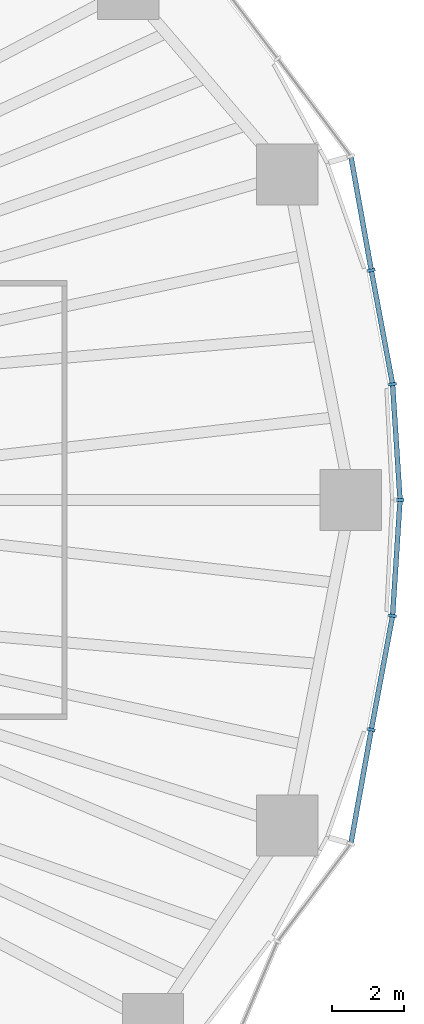
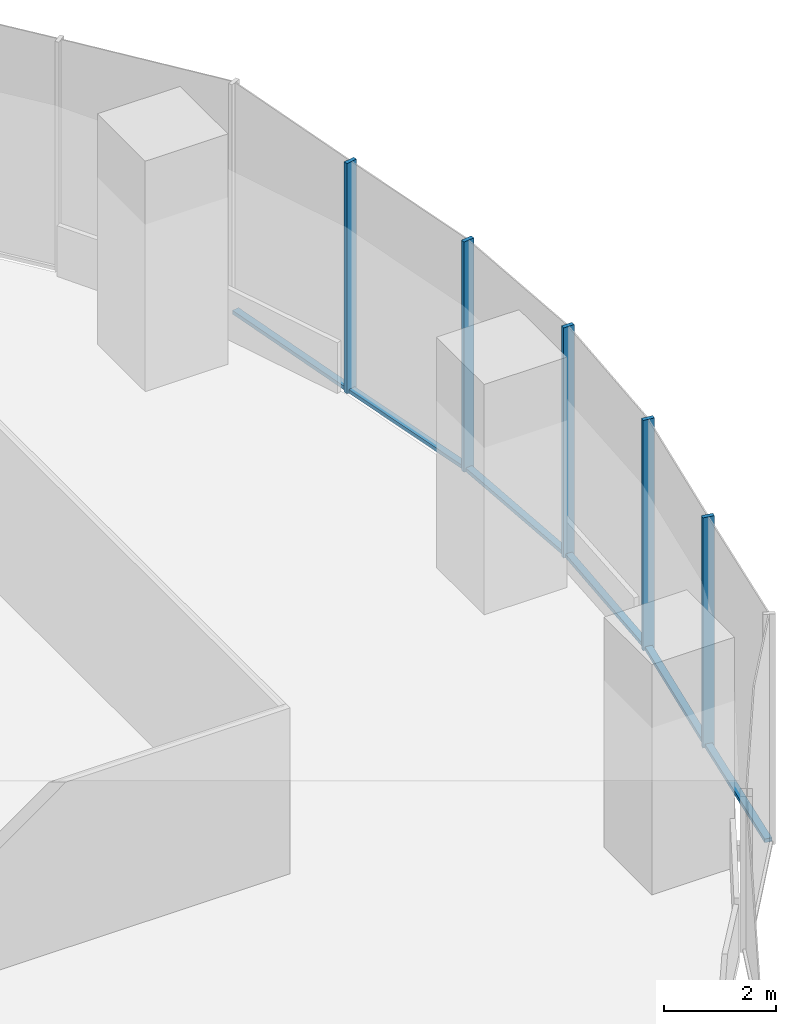
# One storey, part 7 of 20: 11 members, 2 elements without a shape of their own.
"""IFC4 building model written with IfcOpenShell, lengths in metres."""

from ifc_helpers import new_model, si_unit, direction, frame, origin, origin_2d, place, context, subcontext, project, spatial, rectangle, extrude, material, material_profile, profile_set, type_object, element, aggregate, save


model = new_model("IFC4")

# Units and contexts
model_context = context("Model", 3, precision=1e-05, world=origin(), true_north=direction((0.0, 1.0)))
body_context = subcontext(model_context, "Body", "Model", "MODEL_VIEW")
ifc_project = project(units=[si_unit("LENGTHUNIT", "METRE"), si_unit("AREAUNIT", "SQUARE_METRE"), si_unit("VOLUMEUNIT", "CUBIC_METRE"), si_unit("PLANEANGLEUNIT", "RADIAN"), si_unit("MASSUNIT", "GRAM", prefix="KILO")], contexts=[model_context])

# Site, building, storey
site_placement = place(None, origin())
site = spatial("IfcSite", under=ifc_project, at=site_placement, CompositionType="ELEMENT")
building_placement = place(site_placement, origin())
building = spatial("IfcBuilding", under=site, at=building_placement, Name="Ghaith Harvest Tower", CompositionType="ELEMENT")
storey_placement = place(building_placement, frame((0.0, 0.0, 55.0)))
storey = spatial("IfcBuildingStorey", under=building, at=storey_placement, Name="L11", CompositionType="ELEMENT", Elevation=55.0)

# Curtain wall, members
ifc_material_1 = material(Name="Black anodised aluminium and fritted glass", Category="aluminium")
curtain_wall_type = type_object("IfcCurtainWallType", Name="CW-F CURTAIN WALL", PredefinedType="NOTDEFINED", material=ifc_material_1)
curtain_wall_1_placement = place(storey_placement, origin())
curtain_wall_1 = element("IfcCurtainWall", 1, at=curtain_wall_1_placement, inside=storey, type_object=curtain_wall_type, Name="Curtain wall CW-F bay 01 L11", PredefinedType="NOTDEFINED")
ifc_material_2 = material(Name="Aluminium, black anodised", Category="aluminium")
ifc_material_profile_1 = material_profile(ifc_material_2, rectangle(XDim=0.080078125, YDim=0.219970703125, at=origin_2d()), Name="CW-F MULLION 80x220")
ifc_profile_set_1 = profile_set([ifc_material_profile_1], Name="Aluminium, black anodised")
member_type_1 = type_object("IfcMemberType", Name="CW-F MULLION 80x220", PredefinedType="MULLION", material=ifc_profile_set_1)
member_1_placement = place(storey_placement, frame((34.284912109375, 0.0, 0.0), z_axis=(0.0, 0.0, 1.0), x_axis=(1.05e-10, 1.0, 0.0)))
member_1 = element("IfcMember", 2, at=member_1_placement, type_object=member_type_1, Name="CW-F mullion 1 bay 01 L11", PredefinedType="MULLION", context=body_context, shape_type="SweptSolid", body=[
    extrude(rectangle(XDim=0.080078125, YDim=0.219970703125, at=origin_2d()), origin(), (0.0, 0.0, 1.0), 5.0),
])
member_2_placement = place(storey_placement, frame((34.077880859375, 3.205322265625, 0.0), z_axis=(0.0, 0.0, 1.0), x_axis=(-0.12416951168, 0.992261020281, 0.0)))
member_2 = element("IfcMember", 3, at=member_2_placement, type_object=member_type_1, Name="CW-F mullion 2 bay 01 L11", PredefinedType="MULLION", context=body_context, shape_type="SweptSolid", body=[
    extrude(rectangle(XDim=0.080078125, YDim=0.219970703125, at=origin_2d()), origin(), (0.0, 0.0, 1.0), 5.0),
])
member_3_placement = place(storey_placement, frame((33.489501953125, 6.3564453125, 0.0), z_axis=(0.0, 0.0, 1.0), x_axis=(-0.179943325455, 0.98367697931, 0.0)))
member_3 = element("IfcMember", 4, at=member_3_placement, type_object=member_type_1, Name="CW-F mullion 3 bay 01 L11", PredefinedType="MULLION", context=body_context, shape_type="SweptSolid", body=[
    extrude(rectangle(XDim=0.080078125, YDim=0.219970703125, at=origin_2d()), origin(), (0.0, 0.0, 1.0), 5.0),
])

curtain_wall_2_placement = place(storey_placement, origin())
curtain_wall_2 = element("IfcCurtainWall", 5, at=curtain_wall_2_placement, inside=storey, type_object=curtain_wall_type, Name="Curtain wall CW-F bay 20 L11", PredefinedType="NOTDEFINED")
member_4_placement = place(storey_placement, frame((33.489501953125, -6.3564453125, 0.0), z_axis=(0.0, 0.0, 1.0), x_axis=(0.17994332573, 0.98367697926, 0.0)))
member_4 = element("IfcMember", 6, at=member_4_placement, type_object=member_type_1, Name="CW-F mullion 2 bay 20 L11", PredefinedType="MULLION", context=body_context, shape_type="SweptSolid", body=[
    extrude(rectangle(XDim=0.080078125, YDim=0.219970703125, at=origin_2d()), origin(), (0.0, 0.0, 1.0), 5.0),
])
member_5_placement = place(storey_placement, frame((34.077880859375, -3.205322265625, 0.0), z_axis=(0.0, 0.0, 1.0), x_axis=(0.124169511819, 0.992261020264, 0.0)))
member_5 = element("IfcMember", 7, at=member_5_placement, type_object=member_type_1, Name="CW-F mullion 3 bay 20 L11", PredefinedType="MULLION", context=body_context, shape_type="SweptSolid", body=[
    extrude(rectangle(XDim=0.080078125, YDim=0.219970703125, at=origin_2d()), origin(), (0.0, 0.0, 1.0), 5.0),
])

# Member
ifc_material_3 = material(Name="Aluminium, black anodised", Category="aluminium")
ifc_material_profile_2 = material_profile(ifc_material_3, rectangle(XDim=0.139892578125, YDim=0.080078125, at=origin_2d()), Name="CW-F TRANSOM 140x80")
ifc_profile_set_2 = profile_set([ifc_material_profile_2], Name="Aluminium, black anodised")
member_type_2 = type_object("IfcMemberType", Name="CW-F TRANSOM 140x80", PredefinedType="USERDEFINED", material=ifc_profile_set_2)
member_6_placement = place(storey_placement, frame((34.282470703125, 0.039794921875, 0.0400390625), z_axis=(-0.064459898973, 0.997920298132, 0.0), x_axis=(-0.997920298132, -0.064459898973, 0.0)))
member_6 = element("IfcMember", 8, at=member_6_placement, type_object=member_type_2, Name="CW-F transom 1 bay 01 L11", ObjectType="TRANSOM", PredefinedType="USERDEFINED", context=body_context, shape_type="SweptSolid", body=[
    extrude(rectangle(XDim=0.139892578125, YDim=0.080078125, at=origin_2d()), origin(), (0.0, 0.0, 1.0), 3.13232421875),
])

member_7_placement = place(storey_placement, frame((34.070556640625, 3.24462890625, 0.0400390625), z_axis=(-0.183557496381, 0.983008975301, 0.0), x_axis=(-0.983008975301, -0.183557496381, 0.0)))
member_7 = element("IfcMember", 9, at=member_7_placement, type_object=member_type_2, Name="CW-F transom 2 bay 01 L11", ObjectType="TRANSOM", PredefinedType="USERDEFINED", context=body_context, shape_type="SweptSolid", body=[
    extrude(rectangle(XDim=0.139892578125, YDim=0.080078125, at=origin_2d()), origin(), (0.0, 0.0, 1.0), 3.125732421875),
])

member_8_placement = place(storey_placement, frame((33.482421875, 6.395751953125, 0.0400390625), z_axis=(-0.176303612865, 0.984335835013, 0.0), x_axis=(-0.984335835013, -0.176303612865, 0.0)))
member_8 = element("IfcMember", 10, at=member_8_placement, type_object=member_type_2, Name="CW-F transom 3 bay 01 L11", ObjectType="TRANSOM", PredefinedType="USERDEFINED", context=body_context, shape_type="SweptSolid", body=[
    extrude(rectangle(XDim=0.139892578125, YDim=0.080078125, at=origin_2d()), origin(), (0.0, 0.0, 1.0), 3.129638671875),
])

aggregate(curtain_wall_1, [member_1, member_6, member_2, member_7, member_3, member_8])

member_9_placement = place(storey_placement, frame((32.9306640625, -9.476318359375, 0.0400390625), z_axis=(0.176303612865, 0.984335835013, 0.0), x_axis=(-0.984335835013, 0.176303612865, 0.0)))
member_9 = element("IfcMember", 11, at=member_9_placement, type_object=member_type_2, Name="CW-F transom 1 bay 20 L11", ObjectType="TRANSOM", PredefinedType="USERDEFINED", context=body_context, shape_type="SweptSolid", body=[
    extrude(rectangle(XDim=0.139892578125, YDim=0.080078125, at=origin_2d()), origin(), (0.0, 0.0, 1.0), 3.129638671875),
])

member_10_placement = place(storey_placement, frame((33.496826171875, -6.317138671875, 0.0400390625), z_axis=(0.183557496381, 0.983008975301, 0.0), x_axis=(-0.983008975301, 0.183557496381, 0.0)))
member_10 = element("IfcMember", 12, at=member_10_placement, type_object=member_type_2, Name="CW-F transom 2 bay 20 L11", ObjectType="TRANSOM", PredefinedType="USERDEFINED", context=body_context, shape_type="SweptSolid", body=[
    extrude(rectangle(XDim=0.139892578125, YDim=0.080078125, at=origin_2d()), origin(), (0.0, 0.0, 1.0), 3.125732421875),
])

member_11_placement = place(storey_placement, frame((34.08056640625, -3.16552734375, 0.0400390625), z_axis=(0.064459898973, 0.997920298132, 0.0), x_axis=(-0.997920298132, 0.064459898973, 0.0)))
member_11 = element("IfcMember", 13, at=member_11_placement, type_object=member_type_2, Name="CW-F transom 3 bay 20 L11", ObjectType="TRANSOM", PredefinedType="USERDEFINED", context=body_context, shape_type="SweptSolid", body=[
    extrude(rectangle(XDim=0.139892578125, YDim=0.080078125, at=origin_2d()), origin(), (0.0, 0.0, 1.0), 3.13232421875),
])

aggregate(curtain_wall_2, [member_9, member_4, member_10, member_5, member_11])

save(model, "model.ifc")
